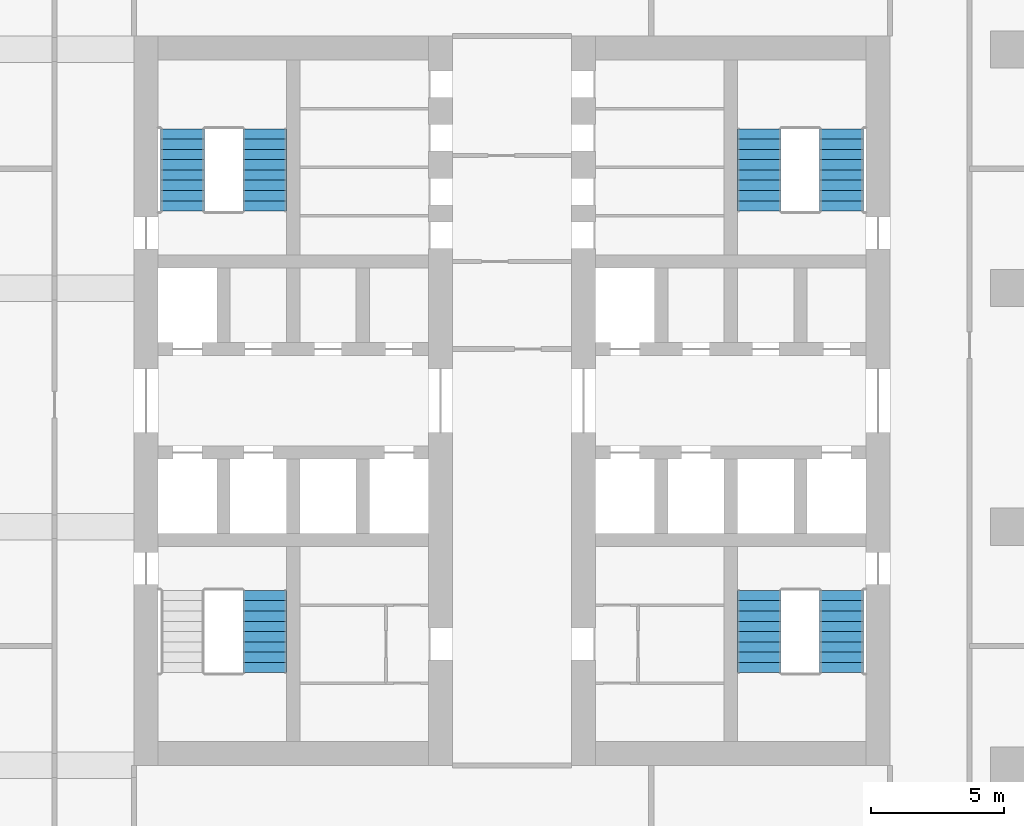
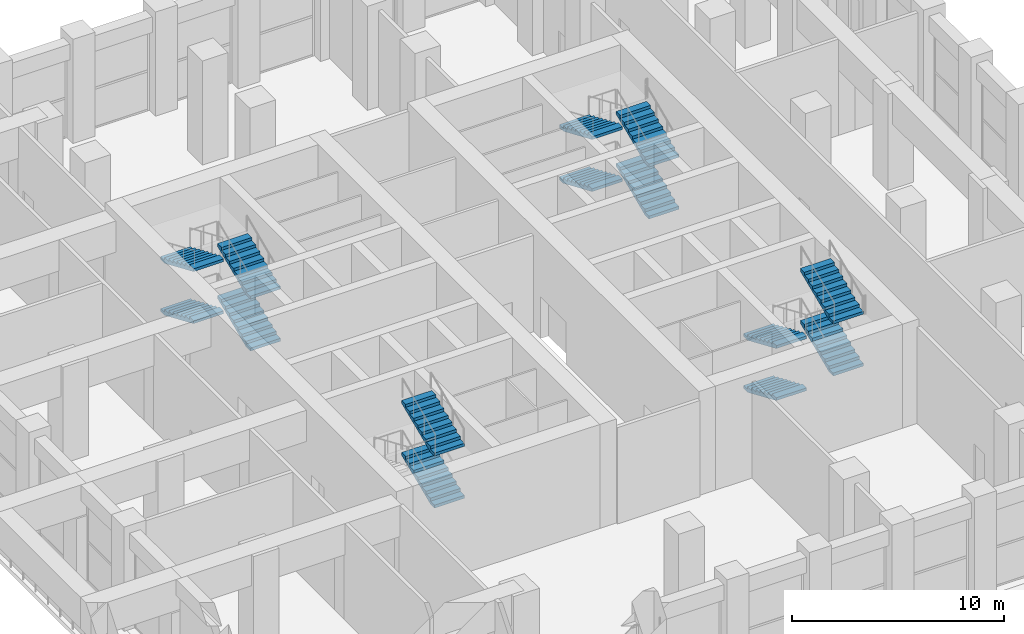
# One storey, part 16 of 24: 14 stair flights, 4 elements without a shape of their own.
"""IFC4 building model written with IfcOpenShell, lengths in metres."""

from ifc_helpers import new_model, si_unit, direction, frame, origin, place, context, subcontext, project, spatial, polyline, outline, extrude, material, type_object, element, aggregate, save


model = new_model("IFC4")

# Units and contexts
model_context = context("Model", 3, precision=1e-05, world=origin(), true_north=direction((0.0, 1.0)))
body_context = subcontext(model_context, "Body", "Model", "MODEL_VIEW")
ifc_project = project(units=[si_unit("LENGTHUNIT", "METRE"), si_unit("AREAUNIT", "SQUARE_METRE"), si_unit("VOLUMEUNIT", "CUBIC_METRE"), si_unit("PLANEANGLEUNIT", "RADIAN"), si_unit("MASSUNIT", "GRAM", prefix="KILO")], contexts=[model_context])

# Site, building, storey
site_placement = place(None, origin())
site = spatial("IfcSite", under=ifc_project, at=site_placement, CompositionType="ELEMENT")
building_placement = place(site_placement, origin())
building = spatial("IfcBuilding", under=site, at=building_placement, Name="Corbel Stack Research Tower", CompositionType="ELEMENT")
storey_placement = place(building_placement, frame((0.0, 0.0, 110.699951171875)))
storey = spatial("IfcBuildingStorey", under=building, at=storey_placement, Name="L25", CompositionType="ELEMENT", Elevation=110.699951171875)

# Stair, stair flights
ifc_material_1 = material(Name="Concrete C40/50", Category="concrete")
stair_type = type_object("IfcStairType", Name="Exit stair 36 risers, 388 going", PredefinedType="HALF_TURN_STAIR", material=ifc_material_1)
stair_1_placement = place(storey_placement, origin())
stair_1 = element("IfcStair", 1, at=stair_1_placement, inside=storey, type_object=stair_type, Name="L25 Exit stair ST-W1", PredefinedType="HALF_TURN_STAIR")
ifc_material_2 = material(Name="Concrete C40/50", Category="concrete")
stair_flight_type = type_object("IfcStairFlightType", Name="Stair flight 9 risers, 388 going", PredefinedType="STRAIGHT", material=ifc_material_2)
stair_flight_1_placement = place(storey_placement, frame((-5.574951171875, -5.50390625, 1.5), z_axis=(0.0, 0.0, 1.0), x_axis=(0.0, 1.0, 0.0)))
stair_flight_1 = element("IfcStairFlight", 2, at=stair_flight_1_placement, type_object=stair_flight_type, Name="ST-W1 flight 2", NumberOfRisers=9, NumberOfTreads=8, PredefinedType="STRAIGHT", RiserHeight=0.166666667, TreadLength=0.388, context=body_context, shape_type="SweptSolid", body=[
    extrude(outline(polyline([(0.0, 0.0), (0.0, 0.166748046875), (0.387939453125, 0.166748046875), (0.387939453125, 0.333251953125), (0.77587890625, 0.333251953125), (0.77587890625, 0.5), (1.1640625, 0.5), (1.1640625, 0.666748046875), (1.552001953125, 0.666748046875), (1.552001953125, 0.833251953125), (1.93994140625, 0.833251953125), (1.93994140625, 1.0), (2.327880859375, 1.0), (2.327880859375, 1.166748046875), (2.716064453125, 1.166748046875), (2.716064453125, 1.333251953125), (3.10400390625, 1.333251953125), (3.10400390625, 1.5), (3.10400390625, 1.170166015625), (0.3798828125, 0.0), (0.0, 0.0)])), frame((0.0, 0.824951171875, 0.0), z_axis=(0.0, -1.0, 0.0), x_axis=(1.0, 0.0, 0.0)), (0.0, 0.0, 1.0), 1.64990234375),
])
stair_flight_2_placement = place(storey_placement, frame((-5.574951171875, -5.50390625, 4.5), z_axis=(0.0, 0.0, 1.0), x_axis=(0.0, 1.0, 0.0)))
stair_flight_2 = element("IfcStairFlight", 3, at=stair_flight_2_placement, type_object=stair_flight_type, Name="ST-W1 flight 4", NumberOfRisers=9, NumberOfTreads=8, PredefinedType="STRAIGHT", RiserHeight=0.166666667, TreadLength=0.388, context=body_context, shape_type="SweptSolid", body=[
    extrude(outline(polyline([(0.0, 0.0), (0.0, 0.166748046875), (0.387939453125, 0.166748046875), (0.387939453125, 0.333251953125), (0.77587890625, 0.333251953125), (0.77587890625, 0.5), (1.1640625, 0.5), (1.1640625, 0.666748046875), (1.552001953125, 0.666748046875), (1.552001953125, 0.833251953125), (1.93994140625, 0.833251953125), (1.93994140625, 1.0), (2.327880859375, 1.0), (2.327880859375, 1.166748046875), (2.716064453125, 1.166748046875), (2.716064453125, 1.333251953125), (3.10400390625, 1.333251953125), (3.10400390625, 1.5), (3.10400390625, 1.170166015625), (0.3798828125, 0.0), (0.0, 0.0)])), frame((0.0, 0.824951171875, 0.0), z_axis=(0.0, -1.0, 0.0), x_axis=(1.0, 0.0, 0.0)), (0.0, 0.0, 1.0), 1.64990234375),
])
aggregate(stair_1, [stair_flight_1, stair_flight_2])

stair_2_placement = place(storey_placement, origin())
stair_2 = element("IfcStair", 4, at=stair_2_placement, inside=storey, type_object=stair_type, Name="L25 Exit stair ST-W2", PredefinedType="HALF_TURN_STAIR")
stair_flight_3_placement = place(storey_placement, frame((-5.574951171875, 11.89990234375, 0.0), z_axis=(0.0, 0.0, 1.0), x_axis=(0.0, 1.0, 0.0)))
stair_flight_3 = element("IfcStairFlight", 5, at=stair_flight_3_placement, type_object=stair_flight_type, Name="ST-W2 flight 1", NumberOfRisers=9, NumberOfTreads=8, PredefinedType="STRAIGHT", RiserHeight=0.166666667, TreadLength=0.388, context=body_context, shape_type="SweptSolid", body=[
    extrude(outline(polyline([(0.0, 0.0), (0.0, 0.166748046875), (0.387939453125, 0.166748046875), (0.387939453125, 0.333251953125), (0.77587890625, 0.333251953125), (0.77587890625, 0.5), (1.1640625, 0.5), (1.1640625, 0.666748046875), (1.552001953125, 0.666748046875), (1.552001953125, 0.833251953125), (1.93994140625, 0.833251953125), (1.93994140625, 1.0), (2.327880859375, 1.0), (2.327880859375, 1.166748046875), (2.716064453125, 1.166748046875), (2.716064453125, 1.333251953125), (3.10400390625, 1.333251953125), (3.10400390625, 1.5), (3.10400390625, 1.170166015625), (0.3798828125, 0.0), (0.0, 0.0)])), frame((0.0, 0.824951171875, 0.0), z_axis=(0.0, -1.0, 0.0), x_axis=(1.0, 0.0, 0.0)), (0.0, 0.0, 1.0), 1.64990234375),
])
stair_flight_4_placement = place(storey_placement, frame((-8.675048828125, 15.00390625, 1.5), z_axis=(0.0, 0.0, 1.0), x_axis=(0.0, -1.0, 0.0)))
stair_flight_4 = element("IfcStairFlight", 6, at=stair_flight_4_placement, type_object=stair_flight_type, Name="ST-W2 flight 2", NumberOfRisers=9, NumberOfTreads=8, PredefinedType="STRAIGHT", RiserHeight=0.166666667, TreadLength=0.388, context=body_context, shape_type="SweptSolid", body=[
    extrude(outline(polyline([(0.0, 0.0), (0.0, 0.166748046875), (0.387939453125, 0.166748046875), (0.387939453125, 0.333251953125), (0.77587890625, 0.333251953125), (0.77587890625, 0.5), (1.1640625, 0.5), (1.1640625, 0.666748046875), (1.552001953125, 0.666748046875), (1.552001953125, 0.833251953125), (1.93994140625, 0.833251953125), (1.93994140625, 1.0), (2.327880859375, 1.0), (2.327880859375, 1.166748046875), (2.716064453125, 1.166748046875), (2.716064453125, 1.333251953125), (3.10400390625, 1.333251953125), (3.10400390625, 1.5), (3.10400390625, 1.170166015625), (0.3798828125, 0.0), (0.0, 0.0)])), frame((0.0, 0.824951171875, 0.0), z_axis=(0.0, -1.0, 0.0), x_axis=(1.0, 0.0, 0.0)), (0.0, 0.0, 1.0), 1.64990234375),
])
stair_flight_5_placement = place(storey_placement, frame((-5.574951171875, 11.89990234375, 3.0), z_axis=(0.0, 0.0, 1.0), x_axis=(0.0, 1.0, 0.0)))
stair_flight_5 = element("IfcStairFlight", 7, at=stair_flight_5_placement, type_object=stair_flight_type, Name="ST-W2 flight 3", NumberOfRisers=9, NumberOfTreads=8, PredefinedType="STRAIGHT", RiserHeight=0.166666667, TreadLength=0.388, context=body_context, shape_type="SweptSolid", body=[
    extrude(outline(polyline([(0.0, 0.0), (0.0, 0.166748046875), (0.387939453125, 0.166748046875), (0.387939453125, 0.333251953125), (0.77587890625, 0.333251953125), (0.77587890625, 0.5), (1.1640625, 0.5), (1.1640625, 0.666748046875), (1.552001953125, 0.666748046875), (1.552001953125, 0.833251953125), (1.93994140625, 0.833251953125), (1.93994140625, 1.0), (2.327880859375, 1.0), (2.327880859375, 1.166748046875), (2.716064453125, 1.166748046875), (2.716064453125, 1.333251953125), (3.10400390625, 1.333251953125), (3.10400390625, 1.5), (3.10400390625, 1.170166015625), (0.3798828125, 0.0), (0.0, 0.0)])), frame((0.0, 0.824951171875, 0.0), z_axis=(0.0, -1.0, 0.0), x_axis=(1.0, 0.0, 0.0)), (0.0, 0.0, 1.0), 1.64990234375),
])
stair_flight_6_placement = place(storey_placement, frame((-8.675048828125, 15.00390625, 4.5), z_axis=(0.0, 0.0, 1.0), x_axis=(0.0, -1.0, 0.0)))
stair_flight_6 = element("IfcStairFlight", 8, at=stair_flight_6_placement, type_object=stair_flight_type, Name="ST-W2 flight 4", NumberOfRisers=9, NumberOfTreads=8, PredefinedType="STRAIGHT", RiserHeight=0.166666667, TreadLength=0.388, context=body_context, shape_type="SweptSolid", body=[
    extrude(outline(polyline([(0.0, 0.0), (0.0, 0.166748046875), (0.387939453125, 0.166748046875), (0.387939453125, 0.333251953125), (0.77587890625, 0.333251953125), (0.77587890625, 0.5), (1.1640625, 0.5), (1.1640625, 0.666748046875), (1.552001953125, 0.666748046875), (1.552001953125, 0.833251953125), (1.93994140625, 0.833251953125), (1.93994140625, 1.0), (2.327880859375, 1.0), (2.327880859375, 1.166748046875), (2.716064453125, 1.166748046875), (2.716064453125, 1.333251953125), (3.10400390625, 1.333251953125), (3.10400390625, 1.5), (3.10400390625, 1.170166015625), (0.3798828125, 0.0), (0.0, 0.0)])), frame((0.0, 0.824951171875, 0.0), z_axis=(0.0, -1.0, 0.0), x_axis=(1.0, 0.0, 0.0)), (0.0, 0.0, 1.0), 1.64990234375),
])
aggregate(stair_2, [stair_flight_3, stair_flight_4, stair_flight_5, stair_flight_6])

stair_3_placement = place(storey_placement, origin())
stair_3 = element("IfcStair", 9, at=stair_3_placement, inside=storey, type_object=stair_type, Name="L25 Exit stair ST-E1", PredefinedType="HALF_TURN_STAIR")
stair_flight_7_placement = place(storey_placement, frame((13.074951171875, -2.39990234375, 0.0), z_axis=(0.0, 0.0, 1.0), x_axis=(0.0, -1.0, 0.0)))
stair_flight_7 = element("IfcStairFlight", 10, at=stair_flight_7_placement, type_object=stair_flight_type, Name="ST-E1 flight 1", NumberOfRisers=9, NumberOfTreads=8, PredefinedType="STRAIGHT", RiserHeight=0.166666667, TreadLength=0.388, context=body_context, shape_type="SweptSolid", body=[
    extrude(outline(polyline([(0.0, 0.0), (0.0, 0.166748046875), (0.387939453125, 0.166748046875), (0.387939453125, 0.333251953125), (0.77587890625, 0.333251953125), (0.77587890625, 0.5), (1.1640625, 0.5), (1.1640625, 0.666748046875), (1.552001953125, 0.666748046875), (1.552001953125, 0.833251953125), (1.93994140625, 0.833251953125), (1.93994140625, 1.0), (2.327880859375, 1.0), (2.327880859375, 1.166748046875), (2.716064453125, 1.166748046875), (2.716064453125, 1.333251953125), (3.10400390625, 1.333251953125), (3.10400390625, 1.5), (3.10400390625, 1.170166015625), (0.3798828125, 0.0), (0.0, 0.0)])), frame((0.0, 0.824951171875, 0.0), z_axis=(0.0, -1.0, 0.0), x_axis=(1.0, 0.0, 0.0)), (0.0, 0.0, 1.0), 1.64990234375),
])
stair_flight_8_placement = place(storey_placement, frame((16.175048828125, -5.50390625, 1.5), z_axis=(0.0, 0.0, 1.0), x_axis=(0.0, 1.0, 0.0)))
stair_flight_8 = element("IfcStairFlight", 11, at=stair_flight_8_placement, type_object=stair_flight_type, Name="ST-E1 flight 2", NumberOfRisers=9, NumberOfTreads=8, PredefinedType="STRAIGHT", RiserHeight=0.166666667, TreadLength=0.388, context=body_context, shape_type="SweptSolid", body=[
    extrude(outline(polyline([(0.0, 0.0), (0.0, 0.166748046875), (0.387939453125, 0.166748046875), (0.387939453125, 0.333251953125), (0.77587890625, 0.333251953125), (0.77587890625, 0.5), (1.1640625, 0.5), (1.1640625, 0.666748046875), (1.552001953125, 0.666748046875), (1.552001953125, 0.833251953125), (1.93994140625, 0.833251953125), (1.93994140625, 1.0), (2.327880859375, 1.0), (2.327880859375, 1.166748046875), (2.716064453125, 1.166748046875), (2.716064453125, 1.333251953125), (3.10400390625, 1.333251953125), (3.10400390625, 1.5), (3.10400390625, 1.170166015625), (0.3798828125, 0.0), (0.0, 0.0)])), frame((0.0, 0.824951171875, 0.0), z_axis=(0.0, -1.0, 0.0), x_axis=(1.0, 0.0, 0.0)), (0.0, 0.0, 1.0), 1.64990234375),
])
stair_flight_9_placement = place(storey_placement, frame((13.074951171875, -2.39990234375, 3.0), z_axis=(0.0, 0.0, 1.0), x_axis=(0.0, -1.0, 0.0)))
stair_flight_9 = element("IfcStairFlight", 12, at=stair_flight_9_placement, type_object=stair_flight_type, Name="ST-E1 flight 3", NumberOfRisers=9, NumberOfTreads=8, PredefinedType="STRAIGHT", RiserHeight=0.166666667, TreadLength=0.388, context=body_context, shape_type="SweptSolid", body=[
    extrude(outline(polyline([(0.0, 0.0), (0.0, 0.166748046875), (0.387939453125, 0.166748046875), (0.387939453125, 0.333251953125), (0.77587890625, 0.333251953125), (0.77587890625, 0.5), (1.1640625, 0.5), (1.1640625, 0.666748046875), (1.552001953125, 0.666748046875), (1.552001953125, 0.833251953125), (1.93994140625, 0.833251953125), (1.93994140625, 1.0), (2.327880859375, 1.0), (2.327880859375, 1.166748046875), (2.716064453125, 1.166748046875), (2.716064453125, 1.333251953125), (3.10400390625, 1.333251953125), (3.10400390625, 1.5), (3.10400390625, 1.170166015625), (0.3798828125, 0.0), (0.0, 0.0)])), frame((0.0, 0.824951171875, 0.0), z_axis=(0.0, -1.0, 0.0), x_axis=(1.0, 0.0, 0.0)), (0.0, 0.0, 1.0), 1.64990234375),
])
stair_flight_10_placement = place(storey_placement, frame((16.175048828125, -5.50390625, 4.5), z_axis=(0.0, 0.0, 1.0), x_axis=(0.0, 1.0, 0.0)))
stair_flight_10 = element("IfcStairFlight", 13, at=stair_flight_10_placement, type_object=stair_flight_type, Name="ST-E1 flight 4", NumberOfRisers=9, NumberOfTreads=8, PredefinedType="STRAIGHT", RiserHeight=0.166666667, TreadLength=0.388, context=body_context, shape_type="SweptSolid", body=[
    extrude(outline(polyline([(0.0, 0.0), (0.0, 0.166748046875), (0.387939453125, 0.166748046875), (0.387939453125, 0.333251953125), (0.77587890625, 0.333251953125), (0.77587890625, 0.5), (1.1640625, 0.5), (1.1640625, 0.666748046875), (1.552001953125, 0.666748046875), (1.552001953125, 0.833251953125), (1.93994140625, 0.833251953125), (1.93994140625, 1.0), (2.327880859375, 1.0), (2.327880859375, 1.166748046875), (2.716064453125, 1.166748046875), (2.716064453125, 1.333251953125), (3.10400390625, 1.333251953125), (3.10400390625, 1.5), (3.10400390625, 1.170166015625), (0.3798828125, 0.0), (0.0, 0.0)])), frame((0.0, 0.824951171875, 0.0), z_axis=(0.0, -1.0, 0.0), x_axis=(1.0, 0.0, 0.0)), (0.0, 0.0, 1.0), 1.64990234375),
])
aggregate(stair_3, [stair_flight_7, stair_flight_8, stair_flight_9, stair_flight_10])

stair_4_placement = place(storey_placement, origin())
stair_4 = element("IfcStair", 14, at=stair_4_placement, inside=storey, type_object=stair_type, Name="L25 Exit stair ST-E2", PredefinedType="HALF_TURN_STAIR")
stair_flight_11_placement = place(storey_placement, frame((16.175048828125, 11.89990234375, 0.0), z_axis=(0.0, 0.0, 1.0), x_axis=(0.0, 1.0, 0.0)))
stair_flight_11 = element("IfcStairFlight", 15, at=stair_flight_11_placement, type_object=stair_flight_type, Name="ST-E2 flight 1", NumberOfRisers=9, NumberOfTreads=8, PredefinedType="STRAIGHT", RiserHeight=0.166666667, TreadLength=0.388, context=body_context, shape_type="SweptSolid", body=[
    extrude(outline(polyline([(0.0, 0.0), (0.0, 0.166748046875), (0.387939453125, 0.166748046875), (0.387939453125, 0.333251953125), (0.77587890625, 0.333251953125), (0.77587890625, 0.5), (1.1640625, 0.5), (1.1640625, 0.666748046875), (1.552001953125, 0.666748046875), (1.552001953125, 0.833251953125), (1.93994140625, 0.833251953125), (1.93994140625, 1.0), (2.327880859375, 1.0), (2.327880859375, 1.166748046875), (2.716064453125, 1.166748046875), (2.716064453125, 1.333251953125), (3.10400390625, 1.333251953125), (3.10400390625, 1.5), (3.10400390625, 1.170166015625), (0.3798828125, 0.0), (0.0, 0.0)])), frame((0.0, 0.824951171875, 0.0), z_axis=(0.0, -1.0, 0.0), x_axis=(1.0, 0.0, 0.0)), (0.0, 0.0, 1.0), 1.64990234375),
])
stair_flight_12_placement = place(storey_placement, frame((13.074951171875, 15.00390625, 1.5), z_axis=(0.0, 0.0, 1.0), x_axis=(0.0, -1.0, 0.0)))
stair_flight_12 = element("IfcStairFlight", 16, at=stair_flight_12_placement, type_object=stair_flight_type, Name="ST-E2 flight 2", NumberOfRisers=9, NumberOfTreads=8, PredefinedType="STRAIGHT", RiserHeight=0.166666667, TreadLength=0.388, context=body_context, shape_type="SweptSolid", body=[
    extrude(outline(polyline([(0.0, 0.0), (0.0, 0.166748046875), (0.387939453125, 0.166748046875), (0.387939453125, 0.333251953125), (0.77587890625, 0.333251953125), (0.77587890625, 0.5), (1.1640625, 0.5), (1.1640625, 0.666748046875), (1.552001953125, 0.666748046875), (1.552001953125, 0.833251953125), (1.93994140625, 0.833251953125), (1.93994140625, 1.0), (2.327880859375, 1.0), (2.327880859375, 1.166748046875), (2.716064453125, 1.166748046875), (2.716064453125, 1.333251953125), (3.10400390625, 1.333251953125), (3.10400390625, 1.5), (3.10400390625, 1.170166015625), (0.3798828125, 0.0), (0.0, 0.0)])), frame((0.0, 0.824951171875, 0.0), z_axis=(0.0, -1.0, 0.0), x_axis=(1.0, 0.0, 0.0)), (0.0, 0.0, 1.0), 1.64990234375),
])
stair_flight_13_placement = place(storey_placement, frame((16.175048828125, 11.89990234375, 3.0), z_axis=(0.0, 0.0, 1.0), x_axis=(0.0, 1.0, 0.0)))
stair_flight_13 = element("IfcStairFlight", 17, at=stair_flight_13_placement, type_object=stair_flight_type, Name="ST-E2 flight 3", NumberOfRisers=9, NumberOfTreads=8, PredefinedType="STRAIGHT", RiserHeight=0.166666667, TreadLength=0.388, context=body_context, shape_type="SweptSolid", body=[
    extrude(outline(polyline([(0.0, 0.0), (0.0, 0.166748046875), (0.387939453125, 0.166748046875), (0.387939453125, 0.333251953125), (0.77587890625, 0.333251953125), (0.77587890625, 0.5), (1.1640625, 0.5), (1.1640625, 0.666748046875), (1.552001953125, 0.666748046875), (1.552001953125, 0.833251953125), (1.93994140625, 0.833251953125), (1.93994140625, 1.0), (2.327880859375, 1.0), (2.327880859375, 1.166748046875), (2.716064453125, 1.166748046875), (2.716064453125, 1.333251953125), (3.10400390625, 1.333251953125), (3.10400390625, 1.5), (3.10400390625, 1.170166015625), (0.3798828125, 0.0), (0.0, 0.0)])), frame((0.0, 0.824951171875, 0.0), z_axis=(0.0, -1.0, 0.0), x_axis=(1.0, 0.0, 0.0)), (0.0, 0.0, 1.0), 1.64990234375),
])
stair_flight_14_placement = place(storey_placement, frame((13.074951171875, 15.00390625, 4.5), z_axis=(0.0, 0.0, 1.0), x_axis=(0.0, -1.0, 0.0)))
stair_flight_14 = element("IfcStairFlight", 18, at=stair_flight_14_placement, type_object=stair_flight_type, Name="ST-E2 flight 4", NumberOfRisers=9, NumberOfTreads=8, PredefinedType="STRAIGHT", RiserHeight=0.166666667, TreadLength=0.388, context=body_context, shape_type="SweptSolid", body=[
    extrude(outline(polyline([(0.0, 0.0), (0.0, 0.166748046875), (0.387939453125, 0.166748046875), (0.387939453125, 0.333251953125), (0.77587890625, 0.333251953125), (0.77587890625, 0.5), (1.1640625, 0.5), (1.1640625, 0.666748046875), (1.552001953125, 0.666748046875), (1.552001953125, 0.833251953125), (1.93994140625, 0.833251953125), (1.93994140625, 1.0), (2.327880859375, 1.0), (2.327880859375, 1.166748046875), (2.716064453125, 1.166748046875), (2.716064453125, 1.333251953125), (3.10400390625, 1.333251953125), (3.10400390625, 1.5), (3.10400390625, 1.170166015625), (0.3798828125, 0.0), (0.0, 0.0)])), frame((0.0, 0.824951171875, 0.0), z_axis=(0.0, -1.0, 0.0), x_axis=(1.0, 0.0, 0.0)), (0.0, 0.0, 1.0), 1.64990234375),
])
aggregate(stair_4, [stair_flight_11, stair_flight_12, stair_flight_13, stair_flight_14])

save(model, "model.ifc")
